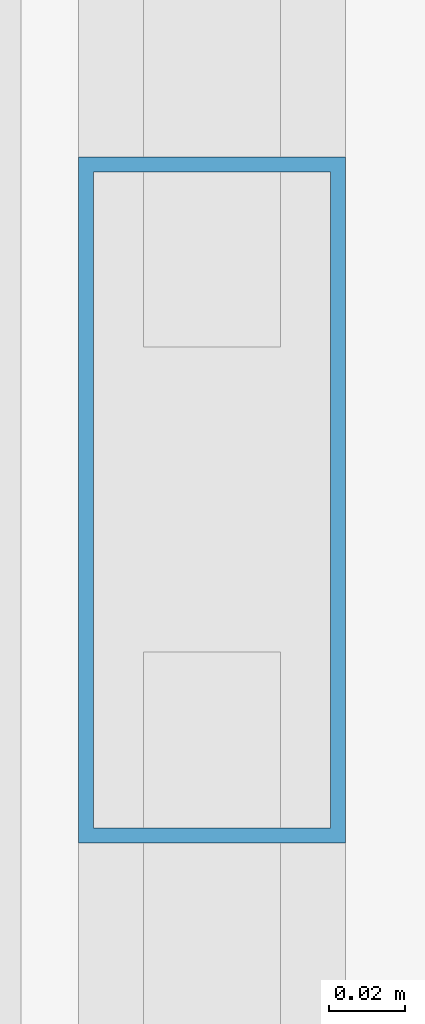
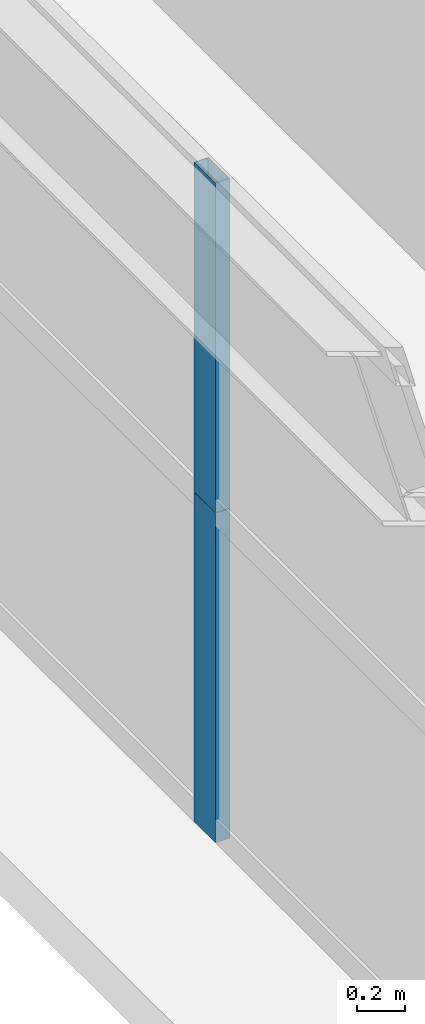
# One storey, part 21 of 39: 2 members, 1 element without a shape of its own.
"""IFC4 building model written with IfcOpenShell, lengths in metres."""

import ifcopenshell
import ifcopenshell.guid

model = None  # the IFC model being written
_history = None  # IfcOwnerHistory: only IFC2X3 demands one
_inside = {}  # id of a spatial element -> (the spatial element, [elements in it])
_under = {}  # id of a project, library or spatial element -> (it, [spatial elements below it])
_declared = {}  # id of a project -> (the project, [libraries it declares])
_typed = {}  # id of a type object -> (the type object, [elements of that type])
_made_of = {}  # id of a material, layer set ... -> (it, [elements and type objects made of it])


def new_model(schema):
    """Start an empty IFC model of exactly this schema.

    Asked for "IFC4X3", IfcOpenShell would pick the latest addendum, in which some entities
    have other attributes; the version numbers below select the first issue.
    IFC2X3 requires an IfcOwnerHistory on every rooted entity: one is made here for all.
    """
    global model, _history
    if schema == "IFC4X3":
        model = ifcopenshell.file(schema_version=(4, 3, 0, 0))
    else:
        model = ifcopenshell.file(schema=schema)
    _inside.clear()
    _under.clear()
    _declared.clear()
    _typed.clear()
    _made_of.clear()
    _history = None
    if model.schema == "IFC2X3":
        org = make("IfcOrganization", Name="unknown")
        user = make(
            "IfcPersonAndOrganization",
            ThePerson=make("IfcPerson", FamilyName="unknown"),
            TheOrganization=org,
        )
        app = make(
            "IfcApplication",
            ApplicationDeveloper=org,
            Version="unknown",
            ApplicationFullName="unknown",
            ApplicationIdentifier="unknown",
        )
        _history = make(
            "IfcOwnerHistory",
            OwningUser=user,
            OwningApplication=app,
            ChangeAction="ADDED",
            CreationDate=0,
        )
    return model


def make(cls, **values):
    """One entity of the class cls with the attributes given. An attribute that is None is left unset."""
    return model.create_entity(
        cls, **{name: value for name, value in values.items() if value is not None}
    )


def rooted(cls, **values):
    """An entity with a GlobalId (a new one), such as an element, a storey or a relation."""
    return make(cls, GlobalId=ifcopenshell.guid.new(), OwnerHistory=_history, **values)


def si_unit(unit_type, name, prefix=None):
    """IfcSIUnit, for example si_unit("LENGTHUNIT", "METRE", prefix="MILLI")."""
    return make("IfcSIUnit", UnitType=unit_type, Prefix=prefix, Name=name)


def assignment(units):
    """IfcUnitAssignment: the units of a project."""
    return None if units is None else make("IfcUnitAssignment", Units=units)


def point(xyz):
    """IfcCartesianPoint."""
    return None if xyz is None else make("IfcCartesianPoint", Coordinates=xyz)


def direction(xyz):
    """IfcDirection."""
    return None if xyz is None else make("IfcDirection", DirectionRatios=xyz)


def frame(location, z_axis=None, x_axis=None):
    """IfcAxis2Placement3D, a coordinate frame: its origin and axes. An axis left out is left unset."""
    return make(
        "IfcAxis2Placement3D",
        Location=point(location),
        Axis=direction(z_axis),
        RefDirection=direction(x_axis),
    )


def frame_2d(location, x_axis=None):
    """IfcAxis2Placement2D, a coordinate frame in the plane: its origin and x axis."""
    return make(
        "IfcAxis2Placement2D", Location=point(location), RefDirection=direction(x_axis)
    )


def origin():
    """The frame at (0, 0, 0) with its axes left unset."""
    return frame((0.0, 0.0, 0.0))


def origin_2d():
    """The frame at (0, 0) in the plane with its x axis left unset."""
    return frame_2d((0.0, 0.0))


def place(relative_to, where):
    """IfcLocalPlacement: puts the frame where relative to a parent placement (None: the world)."""
    return make(
        "IfcLocalPlacement", PlacementRelTo=relative_to, RelativePlacement=where
    )


def context(
    kind, dimensions, precision=None, world=None, true_north=None, identifier=None
):
    """IfcGeometricRepresentationContext, for example the 3D "Model" context."""
    return make(
        "IfcGeometricRepresentationContext",
        ContextIdentifier=identifier,
        ContextType=kind,
        CoordinateSpaceDimension=dimensions,
        Precision=precision,
        WorldCoordinateSystem=world,
        TrueNorth=true_north,
    )


def subcontext(parent, identifier, kind, view, scale=None):
    """IfcGeometricRepresentationSubContext, for example "Body" below "Model"."""
    return make(
        "IfcGeometricRepresentationSubContext",
        ContextIdentifier=identifier,
        ContextType=kind,
        ParentContext=parent,
        TargetScale=scale,
        TargetView=view,
    )


def project(units=None, contexts=None):
    """IfcProject with its units and contexts."""
    return rooted(
        "IfcProject",
        Name="project",
        RepresentationContexts=contexts,
        UnitsInContext=assignment(units),
    )


def spatial(cls, under=None, at=None, **own):
    """A site, building, storey or space (cls), placed at a placement, below another one or the project."""
    s = rooted(cls, ObjectPlacement=at, **own)
    if under is not None:
        _under.setdefault(under.id(), (under, []))[1].append(s)
    return s


def profile(cls, at=None, kind="AREA", **sizes):
    """A parametric profile (cls). Its sizes go by their IFC names, for example OverallWidth=200.0."""
    return make(cls, ProfileType=kind, Position=at, **sizes)


def hollow_rectangle(**sizes):
    """IfcRectangleHollowProfileDef."""
    return profile("IfcRectangleHollowProfileDef", **sizes)


def extrude(swept, where, along, depth):
    """IfcExtrudedAreaSolid: the profile swept, set in the frame where, extruded along a direction by depth."""
    return make(
        "IfcExtrudedAreaSolid",
        SweptArea=swept,
        Position=where,
        ExtrudedDirection=direction(along),
        Depth=depth,
    )


def shape(context_of_items, identifier, shape_type, items):
    """IfcShapeRepresentation: the items that make up one representation, for example the "Body"."""
    return make(
        "IfcShapeRepresentation",
        ContextOfItems=context_of_items,
        RepresentationIdentifier=identifier,
        RepresentationType=shape_type,
        Items=items,
    )


def source(mapping_origin, context_of_items, identifier, shape_type, items):
    """IfcRepresentationMap: a shape defined once, which mapped items show again and again."""
    return make(
        "IfcRepresentationMap",
        MappingOrigin=mapping_origin,
        MappedRepresentation=shape(context_of_items, identifier, shape_type, items),
    )


def transform(
    local_origin,
    x_axis=None,
    y_axis=None,
    z_axis=None,
    scale=None,
    scale2=None,
    scale3=None,
    uniform=True,
):
    """IfcCartesianTransformationOperator3D, or its non-uniform kind. x_axis, y_axis, z_axis: its Axis1, 2, 3."""
    if uniform:
        return make(
            "IfcCartesianTransformationOperator3D",
            Axis1=direction(x_axis),
            Axis2=direction(y_axis),
            LocalOrigin=point(local_origin),
            Scale=scale,
            Axis3=direction(z_axis),
        )
    return make(
        "IfcCartesianTransformationOperator3DnonUniform",
        Axis1=direction(x_axis),
        Axis2=direction(y_axis),
        LocalOrigin=point(local_origin),
        Scale=scale,
        Axis3=direction(z_axis),
        Scale2=scale2,
        Scale3=scale3,
    )


def mapped(mapping_source, mapping_target):
    """IfcMappedItem: shows the shape of a source again, moved by a transform."""
    return make(
        "IfcMappedItem", MappingSource=mapping_source, MappingTarget=mapping_target
    )


def material(Name=None, Category=None):
    """IfcMaterial."""
    return make("IfcMaterial", Name=Name, Category=Category)


def layer(
    of_material, thickness, ventilated=None, Name=None, Category=None, Priority=None
):
    """IfcMaterialLayer: one layer of a wall or slab, of a material (None: an air gap)."""
    return make(
        "IfcMaterialLayer",
        Material=of_material,
        LayerThickness=thickness,
        IsVentilated=ventilated,
        Name=Name,
        Category=Category,
        Priority=Priority,
    )


def layer_set(layers, Name=None):
    """IfcMaterialLayerSet."""
    return make("IfcMaterialLayerSet", MaterialLayers=layers, LayerSetName=Name)


def material_profile(
    of_material, cross_section, Name=None, Category=None, Priority=None
):
    """IfcMaterialProfile: a cross section and its material."""
    return make(
        "IfcMaterialProfile",
        Name=Name,
        Material=of_material,
        Profile=cross_section,
        Priority=Priority,
        Category=Category,
    )


def profile_set(profiles, Name=None, composite=None):
    """IfcMaterialProfileSet."""
    return make(
        "IfcMaterialProfileSet",
        Name=Name,
        MaterialProfiles=profiles,
        CompositeProfile=composite,
    )


def made_of(thing, what):
    """Note that an element or type object is made of a material, layer set ...; save() writes the relation."""
    if what is not None:
        _made_of.setdefault(what.id(), (what, []))[1].append(thing)
    return thing


def type_object(cls, material=None, **own):
    """A type object (cls), such as IfcWallType, which elements share."""
    return made_of(rooted(cls, **own), material)


def element(
    cls,
    number,
    at=None,
    inside=None,
    cuts=None,
    type_object=None,
    material=None,
    context=None,
    identifier="Body",
    shape_type=None,
    held_by="IfcProductDefinitionShape",
    body=None,
    shapes=None,
    **own,
):
    """One element of the class cls, such as IfcWall. Its Tag is "e" and its number.

    at: its placement. inside: the storey or other place that contains it. cuts: it is an
    opening in that element (IfcRelVoidsElement). A single representation is given by context,
    identifier, shape_type and body (its items); several are given by shapes. held_by: the class
    of the entity that holds the representations. save() writes the other relations.
    """
    e = rooted(cls, Tag="e%d" % number, ObjectPlacement=at, **own)
    if body is not None:
        shapes = [shape(context, identifier, shape_type, body)]
    if shapes is not None:
        e.Representation = make(held_by, Representations=shapes)
    if inside is not None:
        _inside.setdefault(inside.id(), (inside, []))[1].append(e)
    if cuts is not None:
        rooted(
            "IfcRelVoidsElement", RelatingBuildingElement=cuts, RelatedOpeningElement=e
        )
    if type_object is not None:
        _typed.setdefault(type_object.id(), (type_object, []))[1].append(e)
    return made_of(e, material)


def aggregate(whole, parts):
    """IfcRelAggregates: a whole, such as a stair, and the parts it consists of."""
    return rooted("IfcRelAggregates", RelatingObject=whole, RelatedObjects=parts)


def save(model, path):
    """Write the relations noted so far, then the file.

    IfcRelAggregates (storeys below a building ...), IfcRelContainedInSpatialStructure (elements
    in a storey), IfcRelDefinesByType, IfcRelAssociatesMaterial and IfcRelDeclares: one each for
    every whole, place, type object, material and project.
    """
    for whole, parts in _under.values():
        aggregate(whole, parts)
    for where, things in _inside.values():
        rooted(
            "IfcRelContainedInSpatialStructure",
            RelatedElements=things,
            RelatingStructure=where,
        )
    for kind, things in _typed.values():
        rooted("IfcRelDefinesByType", RelatedObjects=things, RelatingType=kind)
    for what, things in _made_of.values():
        rooted("IfcRelAssociatesMaterial", RelatedObjects=things, RelatingMaterial=what)
    for by, libraries in _declared.values():
        rooted("IfcRelDeclares", RelatingContext=by, RelatedDefinitions=libraries)
    model.write(path)


model = new_model("IFC4")

# Units and contexts
model_context = context("Model", 3, precision=1e-05, world=origin(), true_north=direction((0.0, 1.0)))
body_context = subcontext(model_context, "Body", "Model", "MODEL_VIEW")
ifc_project = project(units=[si_unit("LENGTHUNIT", "METRE"), si_unit("AREAUNIT", "SQUARE_METRE"), si_unit("VOLUMEUNIT", "CUBIC_METRE"), si_unit("PLANEANGLEUNIT", "RADIAN"), si_unit("MASSUNIT", "GRAM", prefix="KILO"), si_unit("THERMODYNAMICTEMPERATUREUNIT", "KELVIN"), si_unit("POWERUNIT", "WATT")], contexts=[model_context])

# Site, building, storey
site_placement = place(None, origin())
site = spatial("IfcSite", under=ifc_project, at=site_placement, CompositionType="ELEMENT")
building_placement = place(site_placement, origin())
building = spatial("IfcBuilding", under=site, at=building_placement, Name="Yuzanri Waterfront Tower", CompositionType="ELEMENT")
storey_placement = place(building_placement, frame((0.0, 0.0, 141.60009765625)))
storey = spatial("IfcBuildingStorey", under=building, at=storey_placement, Name="L37", CompositionType="ELEMENT", Elevation=141.60009765625)

# Curtain wall, members
ifc_material_1 = material(Name="Anodized Architectural Bronze", Category="metal")
ifc_layer = layer(ifc_material_1, 0.159912109375)
ifc_layer_set = layer_set([ifc_layer], Name="Anodized Architectural Bronze")
curtain_wall_type = type_object("IfcCurtainWallType", Name="Anodized Bronze Hotel Upper-Tier Solar-Control Unitized Curtain Wall 7800", PredefinedType="NOTDEFINED", material=ifc_layer_set)
curtain_wall_placement = place(storey_placement, origin())
curtain_wall = element("IfcCurtainWall", 1, at=curtain_wall_placement, inside=storey, type_object=curtain_wall_type, Name="L37 Curtain Wall CW-L37-WR", PredefinedType="NOTDEFINED")
ifc_material_2 = material(Name="Anodized Architectural Bronze", Category="metal")
ifc_material_profile = material_profile(ifc_material_2, hollow_rectangle(XDim=0.070068359375, YDim=0.179931640625, WallThickness=0.00390625, at=origin_2d()), Name="CWM 70x180")
ifc_profile_set = profile_set([ifc_material_profile], Name="Anodized Architectural Bronze")
member_type = type_object("IfcMemberType", Name="Anodized Bronze Standard Curtain-Wall Mullion 70x180", PredefinedType="MULLION", material=ifc_profile_set)
shared_shape = source(origin(), body_context, "Body", "SweptSolid", [
    extrude(hollow_rectangle(XDim=0.070068359375, YDim=0.179931640625, WallThickness=0.00390625, at=origin_2d()), origin(), (0.0, 0.0, 1.0), 1.68798828125),
])
member_1_placement = place(storey_placement, frame((13.550048828125, 34.14990234375, 0.0), z_axis=(0.0, 0.0, 1.0), x_axis=(1.0, 0.0, 0.0)))
member_1 = element("IfcMember", 2, at=member_1_placement, type_object=member_type, Name="CW-L37-WR Lower Mullion 01", PredefinedType="MULLION", context=body_context, shape_type="MappedRepresentation", body=[
    mapped(shared_shape, transform((0.0, 0.0, 0.0), scale=1.0)),
])
member_2_placement = place(storey_placement, frame((13.550048828125, 34.14990234375, 1.69189453125), z_axis=(0.0, 0.0, 1.0), x_axis=(1.0, 0.0, 0.0)))
member_2 = element("IfcMember", 3, at=member_2_placement, type_object=member_type, Name="CW-L37-WR Upper Mullion 01", PredefinedType="MULLION", context=body_context, shape_type="MappedRepresentation", body=[
    mapped(shared_shape, transform((0.0, 0.0, 0.0), scale=1.0)),
])
aggregate(curtain_wall, [member_1, member_2])

save(model, "model.ifc")
